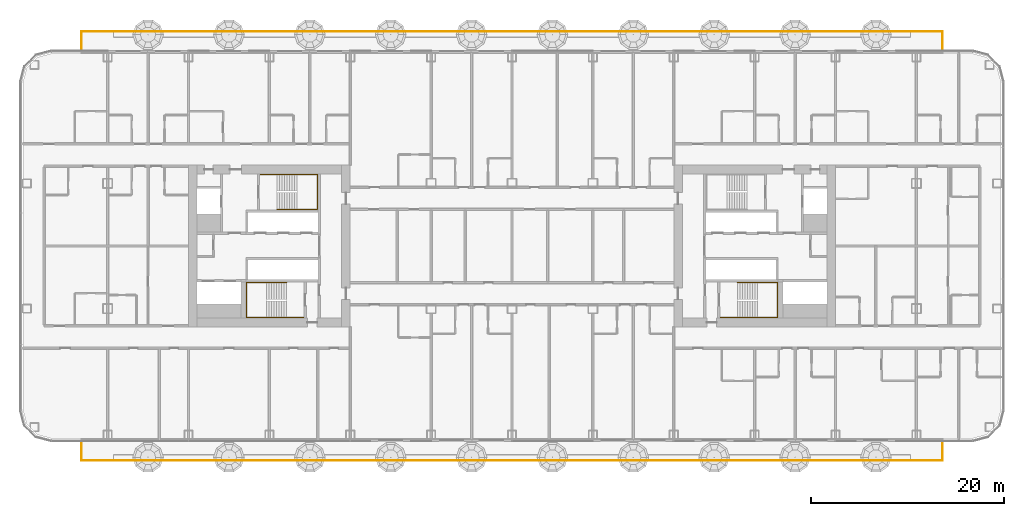
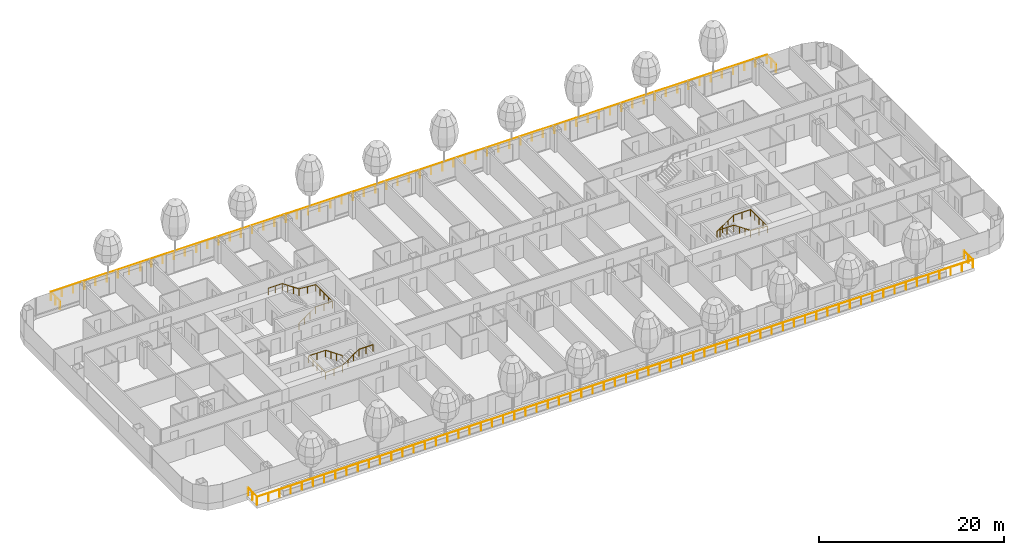
# One storey, part 29 of 36: 5 railings.
"""IFC4 building model written with IfcOpenShell, lengths in metres."""

from ifc_helpers import new_model, si_unit, direction, frame, origin, origin_2d, place, context, subcontext, project, spatial, circle, extrude, material, type_object, element, save


model = new_model("IFC4")

# Units and contexts
model_context = context("Model", 3, precision=1e-05, world=origin(), true_north=direction((0.0, 1.0)))
body_context = subcontext(model_context, "Body", "Model", "MODEL_VIEW")
ifc_project = project(units=[si_unit("LENGTHUNIT", "METRE"), si_unit("AREAUNIT", "SQUARE_METRE"), si_unit("VOLUMEUNIT", "CUBIC_METRE"), si_unit("PLANEANGLEUNIT", "RADIAN"), si_unit("MASSUNIT", "GRAM", prefix="KILO")], contexts=[model_context])

# Site, building, storey
site_placement = place(None, origin())
site = spatial("IfcSite", under=ifc_project, at=site_placement, CompositionType="ELEMENT")
building_placement = place(site_placement, origin())
building = spatial("IfcBuilding", under=site, at=building_placement, Name="Hakoniwa Tower and Hamabe Station Hall", CompositionType="ELEMENT")
storey_placement = place(building_placement, frame((0.0, 0.0, 26.199951171875)))
storey = spatial("IfcBuildingStorey", under=building, at=storey_placement, Name="L06", CompositionType="ELEMENT", Elevation=26.199951171875)

# Railings
ifc_material_1 = material(Name="Stainless steel and laminated glass", Category="steel")
railing_type_1 = type_object("IfcRailingType", Name="BALCONY BALUSTRADE 1100", PredefinedType="BALUSTRADE", material=ifc_material_1)
railing_1_placement = place(storey_placement, frame((-44.699951171875, 20.300048828125, 0.0)))
element("IfcRailing", 1, at=railing_1_placement, inside=storey, type_object=railing_type_1, Name="Balcony balustrade", PredefinedType="BALUSTRADE", context=body_context, shape_type="SweptSolid", body=[
    extrude(circle(Radius=0.02392578125, at=origin_2d()), frame((0.0, 0.0, 1.076171875), z_axis=(0.0, 1.0, 0.0), x_axis=(-1.0, 0.0, 0.0)), (0.0, 0.0, 1.0), 2.0),
    extrude(circle(Radius=0.02392578125, at=origin_2d()), frame((0.0, 2.0, 1.076171875), z_axis=(1.0, 0.0, 0.0), x_axis=(0.0, 1.0, 0.0)), (0.0, 0.0, 1.0), 89.39990234375),
    extrude(circle(Radius=0.02392578125, at=origin_2d()), frame((89.39990234375, 2.0, 1.076171875), z_axis=(0.0, -1.0, 0.0), x_axis=(1.0, 0.0, 0.0)), (0.0, 0.0, 1.0), 2.0),
    extrude(circle(Radius=0.02099609375, at=origin_2d()), origin(), (0.0, 0.0, 1.0), 1.052001953125),
    extrude(circle(Radius=0.02099609375, at=origin_2d()), frame((0.0, 1.0, 0.0)), (0.0, 0.0, 1.0), 1.052001953125),
    extrude(circle(Radius=0.02099609375, at=origin_2d()), frame((0.0, 2.0, 0.0)), (0.0, 0.0, 1.0), 1.052001953125),
    extrude(circle(Radius=0.02099609375, at=origin_2d()), frame((1.39697265625, 2.0, 0.0)), (0.0, 0.0, 1.0), 1.052001953125),
    extrude(circle(Radius=0.02099609375, at=origin_2d()), frame((2.793701171875, 2.0, 0.0)), (0.0, 0.0, 1.0), 1.052001953125),
    extrude(circle(Radius=0.02099609375, at=origin_2d()), frame((4.190673828125, 2.0, 0.0)), (0.0, 0.0, 1.0), 1.052001953125),
    extrude(circle(Radius=0.02099609375, at=origin_2d()), frame((5.58740234375, 2.0, 0.0)), (0.0, 0.0, 1.0), 1.052001953125),
    extrude(circle(Radius=0.02099609375, at=origin_2d()), frame((6.984375, 2.0, 0.0)), (0.0, 0.0, 1.0), 1.052001953125),
    extrude(circle(Radius=0.02099609375, at=origin_2d()), frame((8.38134765625, 2.0, 0.0)), (0.0, 0.0, 1.0), 1.052001953125),
    extrude(circle(Radius=0.02099609375, at=origin_2d()), frame((9.778076171875, 2.0, 0.0)), (0.0, 0.0, 1.0), 1.052001953125),
    extrude(circle(Radius=0.02099609375, at=origin_2d()), frame((11.175048828125, 2.0, 0.0)), (0.0, 0.0, 1.0), 1.052001953125),
    extrude(circle(Radius=0.02099609375, at=origin_2d()), frame((12.57177734375, 2.0, 0.0)), (0.0, 0.0, 1.0), 1.052001953125),
    extrude(circle(Radius=0.02099609375, at=origin_2d()), frame((13.96875, 2.0, 0.0)), (0.0, 0.0, 1.0), 1.052001953125),
    extrude(circle(Radius=0.02099609375, at=origin_2d()), frame((15.36572265625, 2.0, 0.0)), (0.0, 0.0, 1.0), 1.052001953125),
    extrude(circle(Radius=0.02099609375, at=origin_2d()), frame((16.762451171875, 2.0, 0.0)), (0.0, 0.0, 1.0), 1.052001953125),
    extrude(circle(Radius=0.02099609375, at=origin_2d()), frame((18.159423828125, 2.0, 0.0)), (0.0, 0.0, 1.0), 1.052001953125),
    extrude(circle(Radius=0.02099609375, at=origin_2d()), frame((19.55615234375, 2.0, 0.0)), (0.0, 0.0, 1.0), 1.052001953125),
    extrude(circle(Radius=0.02099609375, at=origin_2d()), frame((20.953125, 2.0, 0.0)), (0.0, 0.0, 1.0), 1.052001953125),
    extrude(circle(Radius=0.02099609375, at=origin_2d()), frame((22.35009765625, 2.0, 0.0)), (0.0, 0.0, 1.0), 1.052001953125),
    extrude(circle(Radius=0.02099609375, at=origin_2d()), frame((23.746826171875, 2.0, 0.0)), (0.0, 0.0, 1.0), 1.052001953125),
    extrude(circle(Radius=0.02099609375, at=origin_2d()), frame((25.143798828125, 2.0, 0.0)), (0.0, 0.0, 1.0), 1.052001953125),
    extrude(circle(Radius=0.02099609375, at=origin_2d()), frame((26.54052734375, 2.0, 0.0)), (0.0, 0.0, 1.0), 1.052001953125),
    extrude(circle(Radius=0.02099609375, at=origin_2d()), frame((27.9375, 2.0, 0.0)), (0.0, 0.0, 1.0), 1.052001953125),
    extrude(circle(Radius=0.02099609375, at=origin_2d()), frame((29.334228515625, 2.0, 0.0)), (0.0, 0.0, 1.0), 1.052001953125),
    extrude(circle(Radius=0.02099609375, at=origin_2d()), frame((30.731201171875, 2.0, 0.0)), (0.0, 0.0, 1.0), 1.052001953125),
    extrude(circle(Radius=0.02099609375, at=origin_2d()), frame((32.128173828125, 2.0, 0.0)), (0.0, 0.0, 1.0), 1.052001953125),
    extrude(circle(Radius=0.02099609375, at=origin_2d()), frame((33.52490234375, 2.0, 0.0)), (0.0, 0.0, 1.0), 1.052001953125),
    extrude(circle(Radius=0.02099609375, at=origin_2d()), frame((34.921875, 2.0, 0.0)), (0.0, 0.0, 1.0), 1.052001953125),
    extrude(circle(Radius=0.02099609375, at=origin_2d()), frame((36.318603515625, 2.0, 0.0)), (0.0, 0.0, 1.0), 1.052001953125),
    extrude(circle(Radius=0.02099609375, at=origin_2d()), frame((37.715576171875, 2.0, 0.0)), (0.0, 0.0, 1.0), 1.052001953125),
    extrude(circle(Radius=0.02099609375, at=origin_2d()), frame((39.112548828125, 2.0, 0.0)), (0.0, 0.0, 1.0), 1.052001953125),
    extrude(circle(Radius=0.02099609375, at=origin_2d()), frame((40.50927734375, 2.0, 0.0)), (0.0, 0.0, 1.0), 1.052001953125),
    extrude(circle(Radius=0.02099609375, at=origin_2d()), frame((41.90625, 2.0, 0.0)), (0.0, 0.0, 1.0), 1.052001953125),
    extrude(circle(Radius=0.02099609375, at=origin_2d()), frame((43.302978515625, 2.0, 0.0)), (0.0, 0.0, 1.0), 1.052001953125),
    extrude(circle(Radius=0.02099609375, at=origin_2d()), frame((44.699951171875, 2.0, 0.0)), (0.0, 0.0, 1.0), 1.052001953125),
    extrude(circle(Radius=0.02099609375, at=origin_2d()), frame((46.096923828125, 2.0, 0.0)), (0.0, 0.0, 1.0), 1.052001953125),
    extrude(circle(Radius=0.02099609375, at=origin_2d()), frame((47.49365234375, 2.0, 0.0)), (0.0, 0.0, 1.0), 1.052001953125),
    extrude(circle(Radius=0.02099609375, at=origin_2d()), frame((48.890625, 2.0, 0.0)), (0.0, 0.0, 1.0), 1.052001953125),
    extrude(circle(Radius=0.02099609375, at=origin_2d()), frame((50.287353515625, 2.0, 0.0)), (0.0, 0.0, 1.0), 1.052001953125),
    extrude(circle(Radius=0.02099609375, at=origin_2d()), frame((51.684326171875, 2.0, 0.0)), (0.0, 0.0, 1.0), 1.052001953125),
    extrude(circle(Radius=0.02099609375, at=origin_2d()), frame((53.081298828125, 2.0, 0.0)), (0.0, 0.0, 1.0), 1.052001953125),
    extrude(circle(Radius=0.02099609375, at=origin_2d()), frame((54.47802734375, 2.0, 0.0)), (0.0, 0.0, 1.0), 1.052001953125),
    extrude(circle(Radius=0.02099609375, at=origin_2d()), frame((55.875, 2.0, 0.0)), (0.0, 0.0, 1.0), 1.052001953125),
    extrude(circle(Radius=0.02099609375, at=origin_2d()), frame((57.271728515625, 2.0, 0.0)), (0.0, 0.0, 1.0), 1.052001953125),
    extrude(circle(Radius=0.02099609375, at=origin_2d()), frame((58.668701171875, 2.0, 0.0)), (0.0, 0.0, 1.0), 1.052001953125),
    extrude(circle(Radius=0.02099609375, at=origin_2d()), frame((60.065673828125, 2.0, 0.0)), (0.0, 0.0, 1.0), 1.052001953125),
    extrude(circle(Radius=0.02099609375, at=origin_2d()), frame((61.46240234375, 2.0, 0.0)), (0.0, 0.0, 1.0), 1.052001953125),
    extrude(circle(Radius=0.02099609375, at=origin_2d()), frame((62.859375, 2.0, 0.0)), (0.0, 0.0, 1.0), 1.052001953125),
    extrude(circle(Radius=0.02099609375, at=origin_2d()), frame((64.256103515625, 2.0, 0.0)), (0.0, 0.0, 1.0), 1.052001953125),
    extrude(circle(Radius=0.02099609375, at=origin_2d()), frame((65.653076171875, 2.0, 0.0)), (0.0, 0.0, 1.0), 1.052001953125),
    extrude(circle(Radius=0.02099609375, at=origin_2d()), frame((67.0498046875, 2.0, 0.0)), (0.0, 0.0, 1.0), 1.052001953125),
    extrude(circle(Radius=0.02099609375, at=origin_2d()), frame((68.44677734375, 2.0, 0.0)), (0.0, 0.0, 1.0), 1.052001953125),
    extrude(circle(Radius=0.02099609375, at=origin_2d()), frame((69.84375, 2.0, 0.0)), (0.0, 0.0, 1.0), 1.052001953125),
    extrude(circle(Radius=0.02099609375, at=origin_2d()), frame((71.240478515625, 2.0, 0.0)), (0.0, 0.0, 1.0), 1.052001953125),
    extrude(circle(Radius=0.02099609375, at=origin_2d()), frame((72.637451171875, 2.0, 0.0)), (0.0, 0.0, 1.0), 1.052001953125),
    extrude(circle(Radius=0.02099609375, at=origin_2d()), frame((74.0341796875, 2.0, 0.0)), (0.0, 0.0, 1.0), 1.052001953125),
    extrude(circle(Radius=0.02099609375, at=origin_2d()), frame((75.43115234375, 2.0, 0.0)), (0.0, 0.0, 1.0), 1.052001953125),
    extrude(circle(Radius=0.02099609375, at=origin_2d()), frame((76.828125, 2.0, 0.0)), (0.0, 0.0, 1.0), 1.052001953125),
    extrude(circle(Radius=0.02099609375, at=origin_2d()), frame((78.224853515625, 2.0, 0.0)), (0.0, 0.0, 1.0), 1.052001953125),
    extrude(circle(Radius=0.02099609375, at=origin_2d()), frame((79.621826171875, 2.0, 0.0)), (0.0, 0.0, 1.0), 1.052001953125),
    extrude(circle(Radius=0.02099609375, at=origin_2d()), frame((81.0185546875, 2.0, 0.0)), (0.0, 0.0, 1.0), 1.052001953125),
    extrude(circle(Radius=0.02099609375, at=origin_2d()), frame((82.41552734375, 2.0, 0.0)), (0.0, 0.0, 1.0), 1.052001953125),
    extrude(circle(Radius=0.02099609375, at=origin_2d()), frame((83.8125, 2.0, 0.0)), (0.0, 0.0, 1.0), 1.052001953125),
    extrude(circle(Radius=0.02099609375, at=origin_2d()), frame((85.209228515625, 2.0, 0.0)), (0.0, 0.0, 1.0), 1.052001953125),
    extrude(circle(Radius=0.02099609375, at=origin_2d()), frame((86.606201171875, 2.0, 0.0)), (0.0, 0.0, 1.0), 1.052001953125),
    extrude(circle(Radius=0.02099609375, at=origin_2d()), frame((88.0029296875, 2.0, 0.0)), (0.0, 0.0, 1.0), 1.052001953125),
    extrude(circle(Radius=0.02099609375, at=origin_2d()), frame((89.39990234375, 2.0, 0.0)), (0.0, 0.0, 1.0), 1.052001953125),
    extrude(circle(Radius=0.02099609375, at=origin_2d()), frame((89.39990234375, 1.0, 0.0)), (0.0, 0.0, 1.0), 1.052001953125),
    extrude(circle(Radius=0.02099609375, at=origin_2d()), frame((89.39990234375, 0.0, 0.0)), (0.0, 0.0, 1.0), 1.052001953125),
])
railing_2_placement = place(storey_placement, frame((-44.699951171875, -20.300048828125, 0.0)))
element("IfcRailing", 2, at=railing_2_placement, inside=storey, type_object=railing_type_1, Name="Balcony balustrade", PredefinedType="BALUSTRADE", context=body_context, shape_type="SweptSolid", body=[
    extrude(circle(Radius=0.02392578125, at=origin_2d()), frame((0.0, 0.0, 1.076171875), z_axis=(0.0, -1.0, 0.0), x_axis=(1.0, 0.0, 0.0)), (0.0, 0.0, 1.0), 2.0),
    extrude(circle(Radius=0.02392578125, at=origin_2d()), frame((0.0, -2.0, 1.076171875), z_axis=(1.0, 0.0, 0.0), x_axis=(0.0, 1.0, 0.0)), (0.0, 0.0, 1.0), 89.39990234375),
    extrude(circle(Radius=0.02392578125, at=origin_2d()), frame((89.39990234375, -2.0, 1.076171875), z_axis=(0.0, 1.0, 0.0), x_axis=(-1.0, 0.0, 0.0)), (0.0, 0.0, 1.0), 2.0),
    extrude(circle(Radius=0.02099609375, at=origin_2d()), origin(), (0.0, 0.0, 1.0), 1.052001953125),
    extrude(circle(Radius=0.02099609375, at=origin_2d()), frame((0.0, -1.0, 0.0)), (0.0, 0.0, 1.0), 1.052001953125),
    extrude(circle(Radius=0.02099609375, at=origin_2d()), frame((0.0, -2.0, 0.0)), (0.0, 0.0, 1.0), 1.052001953125),
    extrude(circle(Radius=0.02099609375, at=origin_2d()), frame((1.39697265625, -2.0, 0.0)), (0.0, 0.0, 1.0), 1.052001953125),
    extrude(circle(Radius=0.02099609375, at=origin_2d()), frame((2.793701171875, -2.0, 0.0)), (0.0, 0.0, 1.0), 1.052001953125),
    extrude(circle(Radius=0.02099609375, at=origin_2d()), frame((4.190673828125, -2.0, 0.0)), (0.0, 0.0, 1.0), 1.052001953125),
    extrude(circle(Radius=0.02099609375, at=origin_2d()), frame((5.58740234375, -2.0, 0.0)), (0.0, 0.0, 1.0), 1.052001953125),
    extrude(circle(Radius=0.02099609375, at=origin_2d()), frame((6.984375, -2.0, 0.0)), (0.0, 0.0, 1.0), 1.052001953125),
    extrude(circle(Radius=0.02099609375, at=origin_2d()), frame((8.38134765625, -2.0, 0.0)), (0.0, 0.0, 1.0), 1.052001953125),
    extrude(circle(Radius=0.02099609375, at=origin_2d()), frame((9.778076171875, -2.0, 0.0)), (0.0, 0.0, 1.0), 1.052001953125),
    extrude(circle(Radius=0.02099609375, at=origin_2d()), frame((11.175048828125, -2.0, 0.0)), (0.0, 0.0, 1.0), 1.052001953125),
    extrude(circle(Radius=0.02099609375, at=origin_2d()), frame((12.57177734375, -2.0, 0.0)), (0.0, 0.0, 1.0), 1.052001953125),
    extrude(circle(Radius=0.02099609375, at=origin_2d()), frame((13.96875, -2.0, 0.0)), (0.0, 0.0, 1.0), 1.052001953125),
    extrude(circle(Radius=0.02099609375, at=origin_2d()), frame((15.36572265625, -2.0, 0.0)), (0.0, 0.0, 1.0), 1.052001953125),
    extrude(circle(Radius=0.02099609375, at=origin_2d()), frame((16.762451171875, -2.0, 0.0)), (0.0, 0.0, 1.0), 1.052001953125),
    extrude(circle(Radius=0.02099609375, at=origin_2d()), frame((18.159423828125, -2.0, 0.0)), (0.0, 0.0, 1.0), 1.052001953125),
    extrude(circle(Radius=0.02099609375, at=origin_2d()), frame((19.55615234375, -2.0, 0.0)), (0.0, 0.0, 1.0), 1.052001953125),
    extrude(circle(Radius=0.02099609375, at=origin_2d()), frame((20.953125, -2.0, 0.0)), (0.0, 0.0, 1.0), 1.052001953125),
    extrude(circle(Radius=0.02099609375, at=origin_2d()), frame((22.35009765625, -2.0, 0.0)), (0.0, 0.0, 1.0), 1.052001953125),
    extrude(circle(Radius=0.02099609375, at=origin_2d()), frame((23.746826171875, -2.0, 0.0)), (0.0, 0.0, 1.0), 1.052001953125),
    extrude(circle(Radius=0.02099609375, at=origin_2d()), frame((25.143798828125, -2.0, 0.0)), (0.0, 0.0, 1.0), 1.052001953125),
    extrude(circle(Radius=0.02099609375, at=origin_2d()), frame((26.54052734375, -2.0, 0.0)), (0.0, 0.0, 1.0), 1.052001953125),
    extrude(circle(Radius=0.02099609375, at=origin_2d()), frame((27.9375, -2.0, 0.0)), (0.0, 0.0, 1.0), 1.052001953125),
    extrude(circle(Radius=0.02099609375, at=origin_2d()), frame((29.334228515625, -2.0, 0.0)), (0.0, 0.0, 1.0), 1.052001953125),
    extrude(circle(Radius=0.02099609375, at=origin_2d()), frame((30.731201171875, -2.0, 0.0)), (0.0, 0.0, 1.0), 1.052001953125),
    extrude(circle(Radius=0.02099609375, at=origin_2d()), frame((32.128173828125, -2.0, 0.0)), (0.0, 0.0, 1.0), 1.052001953125),
    extrude(circle(Radius=0.02099609375, at=origin_2d()), frame((33.52490234375, -2.0, 0.0)), (0.0, 0.0, 1.0), 1.052001953125),
    extrude(circle(Radius=0.02099609375, at=origin_2d()), frame((34.921875, -2.0, 0.0)), (0.0, 0.0, 1.0), 1.052001953125),
    extrude(circle(Radius=0.02099609375, at=origin_2d()), frame((36.318603515625, -2.0, 0.0)), (0.0, 0.0, 1.0), 1.052001953125),
    extrude(circle(Radius=0.02099609375, at=origin_2d()), frame((37.715576171875, -2.0, 0.0)), (0.0, 0.0, 1.0), 1.052001953125),
    extrude(circle(Radius=0.02099609375, at=origin_2d()), frame((39.112548828125, -2.0, 0.0)), (0.0, 0.0, 1.0), 1.052001953125),
    extrude(circle(Radius=0.02099609375, at=origin_2d()), frame((40.50927734375, -2.0, 0.0)), (0.0, 0.0, 1.0), 1.052001953125),
    extrude(circle(Radius=0.02099609375, at=origin_2d()), frame((41.90625, -2.0, 0.0)), (0.0, 0.0, 1.0), 1.052001953125),
    extrude(circle(Radius=0.02099609375, at=origin_2d()), frame((43.302978515625, -2.0, 0.0)), (0.0, 0.0, 1.0), 1.052001953125),
    extrude(circle(Radius=0.02099609375, at=origin_2d()), frame((44.699951171875, -2.0, 0.0)), (0.0, 0.0, 1.0), 1.052001953125),
    extrude(circle(Radius=0.02099609375, at=origin_2d()), frame((46.096923828125, -2.0, 0.0)), (0.0, 0.0, 1.0), 1.052001953125),
    extrude(circle(Radius=0.02099609375, at=origin_2d()), frame((47.49365234375, -2.0, 0.0)), (0.0, 0.0, 1.0), 1.052001953125),
    extrude(circle(Radius=0.02099609375, at=origin_2d()), frame((48.890625, -2.0, 0.0)), (0.0, 0.0, 1.0), 1.052001953125),
    extrude(circle(Radius=0.02099609375, at=origin_2d()), frame((50.287353515625, -2.0, 0.0)), (0.0, 0.0, 1.0), 1.052001953125),
    extrude(circle(Radius=0.02099609375, at=origin_2d()), frame((51.684326171875, -2.0, 0.0)), (0.0, 0.0, 1.0), 1.052001953125),
    extrude(circle(Radius=0.02099609375, at=origin_2d()), frame((53.081298828125, -2.0, 0.0)), (0.0, 0.0, 1.0), 1.052001953125),
    extrude(circle(Radius=0.02099609375, at=origin_2d()), frame((54.47802734375, -2.0, 0.0)), (0.0, 0.0, 1.0), 1.052001953125),
    extrude(circle(Radius=0.02099609375, at=origin_2d()), frame((55.875, -2.0, 0.0)), (0.0, 0.0, 1.0), 1.052001953125),
    extrude(circle(Radius=0.02099609375, at=origin_2d()), frame((57.271728515625, -2.0, 0.0)), (0.0, 0.0, 1.0), 1.052001953125),
    extrude(circle(Radius=0.02099609375, at=origin_2d()), frame((58.668701171875, -2.0, 0.0)), (0.0, 0.0, 1.0), 1.052001953125),
    extrude(circle(Radius=0.02099609375, at=origin_2d()), frame((60.065673828125, -2.0, 0.0)), (0.0, 0.0, 1.0), 1.052001953125),
    extrude(circle(Radius=0.02099609375, at=origin_2d()), frame((61.46240234375, -2.0, 0.0)), (0.0, 0.0, 1.0), 1.052001953125),
    extrude(circle(Radius=0.02099609375, at=origin_2d()), frame((62.859375, -2.0, 0.0)), (0.0, 0.0, 1.0), 1.052001953125),
    extrude(circle(Radius=0.02099609375, at=origin_2d()), frame((64.256103515625, -2.0, 0.0)), (0.0, 0.0, 1.0), 1.052001953125),
    extrude(circle(Radius=0.02099609375, at=origin_2d()), frame((65.653076171875, -2.0, 0.0)), (0.0, 0.0, 1.0), 1.052001953125),
    extrude(circle(Radius=0.02099609375, at=origin_2d()), frame((67.0498046875, -2.0, 0.0)), (0.0, 0.0, 1.0), 1.052001953125),
    extrude(circle(Radius=0.02099609375, at=origin_2d()), frame((68.44677734375, -2.0, 0.0)), (0.0, 0.0, 1.0), 1.052001953125),
    extrude(circle(Radius=0.02099609375, at=origin_2d()), frame((69.84375, -2.0, 0.0)), (0.0, 0.0, 1.0), 1.052001953125),
    extrude(circle(Radius=0.02099609375, at=origin_2d()), frame((71.240478515625, -2.0, 0.0)), (0.0, 0.0, 1.0), 1.052001953125),
    extrude(circle(Radius=0.02099609375, at=origin_2d()), frame((72.637451171875, -2.0, 0.0)), (0.0, 0.0, 1.0), 1.052001953125),
    extrude(circle(Radius=0.02099609375, at=origin_2d()), frame((74.0341796875, -2.0, 0.0)), (0.0, 0.0, 1.0), 1.052001953125),
    extrude(circle(Radius=0.02099609375, at=origin_2d()), frame((75.43115234375, -2.0, 0.0)), (0.0, 0.0, 1.0), 1.052001953125),
    extrude(circle(Radius=0.02099609375, at=origin_2d()), frame((76.828125, -2.0, 0.0)), (0.0, 0.0, 1.0), 1.052001953125),
    extrude(circle(Radius=0.02099609375, at=origin_2d()), frame((78.224853515625, -2.0, 0.0)), (0.0, 0.0, 1.0), 1.052001953125),
    extrude(circle(Radius=0.02099609375, at=origin_2d()), frame((79.621826171875, -2.0, 0.0)), (0.0, 0.0, 1.0), 1.052001953125),
    extrude(circle(Radius=0.02099609375, at=origin_2d()), frame((81.0185546875, -2.0, 0.0)), (0.0, 0.0, 1.0), 1.052001953125),
    extrude(circle(Radius=0.02099609375, at=origin_2d()), frame((82.41552734375, -2.0, 0.0)), (0.0, 0.0, 1.0), 1.052001953125),
    extrude(circle(Radius=0.02099609375, at=origin_2d()), frame((83.8125, -2.0, 0.0)), (0.0, 0.0, 1.0), 1.052001953125),
    extrude(circle(Radius=0.02099609375, at=origin_2d()), frame((85.209228515625, -2.0, 0.0)), (0.0, 0.0, 1.0), 1.052001953125),
    extrude(circle(Radius=0.02099609375, at=origin_2d()), frame((86.606201171875, -2.0, 0.0)), (0.0, 0.0, 1.0), 1.052001953125),
    extrude(circle(Radius=0.02099609375, at=origin_2d()), frame((88.0029296875, -2.0, 0.0)), (0.0, 0.0, 1.0), 1.052001953125),
    extrude(circle(Radius=0.02099609375, at=origin_2d()), frame((89.39990234375, -2.0, 0.0)), (0.0, 0.0, 1.0), 1.052001953125),
    extrude(circle(Radius=0.02099609375, at=origin_2d()), frame((89.39990234375, -1.0, 0.0)), (0.0, 0.0, 1.0), 1.052001953125),
    extrude(circle(Radius=0.02099609375, at=origin_2d()), frame((89.39990234375, 0.0, 0.0)), (0.0, 0.0, 1.0), 1.052001953125),
])
ifc_material_2 = material(Name="Stainless steel SUS304", Category="steel")
railing_type_2 = type_object("IfcRailingType", Name="STAIR HANDRAIL 900", PredefinedType="HANDRAIL", material=ifc_material_2)
railing_3_placement = place(storey_placement, frame((-24.39990234375, 3.81005859375, 0.177734375)))
element("IfcRailing", 3, at=railing_3_placement, inside=storey, type_object=railing_type_2, Name="Handrail ST-1 L06 1", PredefinedType="HANDRAIL", context=body_context, shape_type="SweptSolid", body=[
    extrude(circle(Radius=0.02392578125, at=origin_2d()), frame((0.0, 0.0, 0.8759765625), z_axis=(0.825433201882, 0.0, 0.564499804456), x_axis=(0.0, 1.0, 0.0)), (0.0, 0.0, 1.0), 2.519775390625),
    extrude(circle(Radius=0.02392578125, at=origin_2d()), frame((2.079833984375, 0.0, 2.29833984375), z_axis=(1.0, 0.0, 0.0), x_axis=(0.0, 1.0, 0.0)), (0.0, 0.0, 1.0), 2.110107421875),
    extrude(circle(Radius=0.02392578125, at=origin_2d()), frame((4.18994140625, 0.0, 2.29833984375), z_axis=(0.0, 1.0, 0.0), x_axis=(-1.0, 0.0, 0.0)), (0.0, 0.0, 1.0), 3.6298828125),
    extrude(circle(Radius=0.02392578125, at=origin_2d()), frame((4.18994140625, 3.6298828125, 2.29833984375), z_axis=(-0.996471417081, 0.0, 0.083932800143), x_axis=(0.0, -1.0, 0.0)), (0.0, 0.0, 1.0), 2.11767578125),
    extrude(circle(Radius=0.02392578125, at=origin_2d()), frame((2.079833984375, 3.6298828125, 2.47607421875), z_axis=(-0.825478349766, 0.0, 0.564433781827), x_axis=(0.0, -1.0, 0.0)), (0.0, 0.0, 1.0), 2.51953125),
    extrude(circle(Radius=0.02392578125, at=origin_2d()), frame((0.0, 3.6298828125, 3.89794921875), z_axis=(-1.0, 0.0, 0.0), x_axis=(0.0, -1.0, 0.0)), (0.0, 0.0, 1.0), 1.739990234375),
    extrude(circle(Radius=0.02099609375, at=origin_2d()), origin(), (0.0, 0.0, 1.0), 0.851806640625),
    extrude(circle(Radius=0.02099609375, at=origin_2d()), frame((0.693359375, 0.0, 0.47412109375)), (0.0, 0.0, 1.0), 0.851806640625),
    extrude(circle(Radius=0.02099609375, at=origin_2d()), frame((1.386474609375, 0.0, 0.9482421875)), (0.0, 0.0, 1.0), 0.851806640625),
    extrude(circle(Radius=0.02099609375, at=origin_2d()), frame((2.079833984375, 0.0, 1.42236328125)), (0.0, 0.0, 1.0), 0.851806640625),
    extrude(circle(Radius=0.02099609375, at=origin_2d()), frame((3.134765625, 0.0, 1.42236328125)), (0.0, 0.0, 1.0), 0.851806640625),
    extrude(circle(Radius=0.02099609375, at=origin_2d()), frame((4.18994140625, 0.0, 1.42236328125)), (0.0, 0.0, 1.0), 0.851806640625),
    extrude(circle(Radius=0.02099609375, at=origin_2d()), frame((4.18994140625, 0.907470703125, 1.42236328125)), (0.0, 0.0, 1.0), 0.851806640625),
    extrude(circle(Radius=0.02099609375, at=origin_2d()), frame((4.18994140625, 1.81494140625, 1.42236328125)), (0.0, 0.0, 1.0), 0.851806640625),
    extrude(circle(Radius=0.02099609375, at=origin_2d()), frame((4.18994140625, 2.722412109375, 1.42236328125)), (0.0, 0.0, 1.0), 0.851806640625),
    extrude(circle(Radius=0.02099609375, at=origin_2d()), frame((4.18994140625, 3.6298828125, 1.42236328125)), (0.0, 0.0, 1.0), 0.851806640625),
    extrude(circle(Radius=0.02099609375, at=origin_2d()), frame((3.134765625, 3.6298828125, 1.51123046875)), (0.0, 0.0, 1.0), 0.851806640625),
    extrude(circle(Radius=0.02099609375, at=origin_2d()), frame((2.079833984375, 3.6298828125, 1.60009765625)), (0.0, 0.0, 1.0), 0.851806640625),
    extrude(circle(Radius=0.02099609375, at=origin_2d()), frame((1.386474609375, 3.6298828125, 2.07421875)), (0.0, 0.0, 1.0), 0.851806640625),
    extrude(circle(Radius=0.02099609375, at=origin_2d()), frame((0.693359375, 3.6298828125, 2.548095703125)), (0.0, 0.0, 1.0), 0.851806640625),
    extrude(circle(Radius=0.02099609375, at=origin_2d()), frame((0.0, 3.6298828125, 3.022216796875)), (0.0, 0.0, 1.0), 0.851806640625),
    extrude(circle(Radius=0.02099609375, at=origin_2d()), frame((-0.8701171875, 3.6298828125, 3.022216796875)), (0.0, 0.0, 1.0), 0.851806640625),
    extrude(circle(Radius=0.02099609375, at=origin_2d()), frame((-1.739990234375, 3.6298828125, 3.022216796875)), (0.0, 0.0, 1.0), 0.851806640625),
])
railing_4_placement = place(storey_placement, frame((-23.39990234375, -3.81005859375, 0.177734375)))
element("IfcRailing", 4, at=railing_4_placement, inside=storey, type_object=railing_type_2, Name="Handrail ST-2 L06 1", PredefinedType="HANDRAIL", context=body_context, shape_type="SweptSolid", body=[
    extrude(circle(Radius=0.02392578125, at=origin_2d()), frame((0.0, 0.0, 0.8759765625), z_axis=(-0.825464074169, 0.0, 0.564454659168), x_axis=(0.0, -1.0, 0.0)), (0.0, 0.0, 1.0), 2.519775390625),
    extrude(circle(Radius=0.02392578125, at=origin_2d()), frame((-2.080078125, 0.0, 2.29833984375), z_axis=(-1.0, 0.0, 0.0), x_axis=(0.0, -1.0, 0.0)), (0.0, 0.0, 1.0), 2.110107421875),
    extrude(circle(Radius=0.02392578125, at=origin_2d()), frame((-4.190185546875, 0.0, 2.29833984375), z_axis=(0.0, -1.0, 0.0), x_axis=(1.0, 0.0, 0.0)), (0.0, 0.0, 1.0), 3.6298828125),
    extrude(circle(Radius=0.02392578125, at=origin_2d()), frame((-4.190185546875, -3.6298828125, 2.29833984375), z_axis=(0.996471417081, 0.0, 0.083932800143), x_axis=(0.0, 1.0, 0.0)), (0.0, 0.0, 1.0), 2.11767578125),
    extrude(circle(Radius=0.02392578125, at=origin_2d()), frame((-2.080078125, -3.6298828125, 2.47607421875), z_axis=(0.82550921652, 0.0, 0.564388636881), x_axis=(0.0, 1.0, 0.0)), (0.0, 0.0, 1.0), 2.519775390625),
    extrude(circle(Radius=0.02392578125, at=origin_2d()), frame((0.0, -3.6298828125, 3.89794921875), z_axis=(1.0, 0.0, 0.0), x_axis=(0.0, 1.0, 0.0)), (0.0, 0.0, 1.0), 1.739990234375),
    extrude(circle(Radius=0.02099609375, at=origin_2d()), origin(), (0.0, 0.0, 1.0), 0.851806640625),
    extrude(circle(Radius=0.02099609375, at=origin_2d()), frame((-0.693359375, 0.0, 0.47412109375)), (0.0, 0.0, 1.0), 0.851806640625),
    extrude(circle(Radius=0.02099609375, at=origin_2d()), frame((-1.38671875, 0.0, 0.9482421875)), (0.0, 0.0, 1.0), 0.851806640625),
    extrude(circle(Radius=0.02099609375, at=origin_2d()), frame((-2.080078125, 0.0, 1.42236328125)), (0.0, 0.0, 1.0), 0.851806640625),
    extrude(circle(Radius=0.02099609375, at=origin_2d()), frame((-3.13525390625, 0.0, 1.42236328125)), (0.0, 0.0, 1.0), 0.851806640625),
    extrude(circle(Radius=0.02099609375, at=origin_2d()), frame((-4.190185546875, 0.0, 1.42236328125)), (0.0, 0.0, 1.0), 0.851806640625),
    extrude(circle(Radius=0.02099609375, at=origin_2d()), frame((-4.190185546875, -0.907470703125, 1.42236328125)), (0.0, 0.0, 1.0), 0.851806640625),
    extrude(circle(Radius=0.02099609375, at=origin_2d()), frame((-4.190185546875, -1.81494140625, 1.42236328125)), (0.0, 0.0, 1.0), 0.851806640625),
    extrude(circle(Radius=0.02099609375, at=origin_2d()), frame((-4.190185546875, -2.722412109375, 1.42236328125)), (0.0, 0.0, 1.0), 0.851806640625),
    extrude(circle(Radius=0.02099609375, at=origin_2d()), frame((-4.190185546875, -3.6298828125, 1.42236328125)), (0.0, 0.0, 1.0), 0.851806640625),
    extrude(circle(Radius=0.02099609375, at=origin_2d()), frame((-3.13525390625, -3.6298828125, 1.51123046875)), (0.0, 0.0, 1.0), 0.851806640625),
    extrude(circle(Radius=0.02099609375, at=origin_2d()), frame((-2.080078125, -3.6298828125, 1.60009765625)), (0.0, 0.0, 1.0), 0.851806640625),
    extrude(circle(Radius=0.02099609375, at=origin_2d()), frame((-1.38671875, -3.6298828125, 2.07421875)), (0.0, 0.0, 1.0), 0.851806640625),
    extrude(circle(Radius=0.02099609375, at=origin_2d()), frame((-0.693359375, -3.6298828125, 2.548095703125)), (0.0, 0.0, 1.0), 0.851806640625),
    extrude(circle(Radius=0.02099609375, at=origin_2d()), frame((0.0, -3.6298828125, 3.022216796875)), (0.0, 0.0, 1.0), 0.851806640625),
    extrude(circle(Radius=0.02099609375, at=origin_2d()), frame((0.8701171875, -3.6298828125, 3.022216796875)), (0.0, 0.0, 1.0), 0.851806640625),
    extrude(circle(Radius=0.02099609375, at=origin_2d()), frame((1.739990234375, -3.6298828125, 3.022216796875)), (0.0, 0.0, 1.0), 0.851806640625),
])
railing_5_placement = place(storey_placement, frame((23.39990234375, -3.81005859375, 0.177734375)))
element("IfcRailing", 5, at=railing_5_placement, inside=storey, type_object=railing_type_2, Name="Handrail ST-4 L06 1", PredefinedType="HANDRAIL", context=body_context, shape_type="SweptSolid", body=[
    extrude(circle(Radius=0.02392578125, at=origin_2d()), frame((0.0, 0.0, 0.8759765625), z_axis=(0.825464074169, 0.0, 0.564454659168), x_axis=(0.0, 1.0, 0.0)), (0.0, 0.0, 1.0), 2.519775390625),
    extrude(circle(Radius=0.02392578125, at=origin_2d()), frame((2.080078125, 0.0, 2.29833984375), z_axis=(1.0, 0.0, 0.0), x_axis=(0.0, 1.0, 0.0)), (0.0, 0.0, 1.0), 2.110107421875),
    extrude(circle(Radius=0.02392578125, at=origin_2d()), frame((4.190185546875, 0.0, 2.29833984375), z_axis=(0.0, -1.0, 0.0), x_axis=(1.0, 0.0, 0.0)), (0.0, 0.0, 1.0), 3.6298828125),
    extrude(circle(Radius=0.02392578125, at=origin_2d()), frame((4.190185546875, -3.6298828125, 2.29833984375), z_axis=(-0.996471417081, 0.0, 0.083932800143), x_axis=(0.0, -1.0, 0.0)), (0.0, 0.0, 1.0), 2.11767578125),
    extrude(circle(Radius=0.02392578125, at=origin_2d()), frame((2.080078125, -3.6298828125, 2.47607421875), z_axis=(-0.82550921652, 0.0, 0.564388636881), x_axis=(0.0, -1.0, 0.0)), (0.0, 0.0, 1.0), 2.519775390625),
    extrude(circle(Radius=0.02392578125, at=origin_2d()), frame((0.0, -3.6298828125, 3.89794921875), z_axis=(-1.0, 0.0, 0.0), x_axis=(0.0, -1.0, 0.0)), (0.0, 0.0, 1.0), 1.739990234375),
    extrude(circle(Radius=0.02099609375, at=origin_2d()), origin(), (0.0, 0.0, 1.0), 0.851806640625),
    extrude(circle(Radius=0.02099609375, at=origin_2d()), frame((0.693359375, 0.0, 0.47412109375)), (0.0, 0.0, 1.0), 0.851806640625),
    extrude(circle(Radius=0.02099609375, at=origin_2d()), frame((1.38671875, 0.0, 0.9482421875)), (0.0, 0.0, 1.0), 0.851806640625),
    extrude(circle(Radius=0.02099609375, at=origin_2d()), frame((2.080078125, 0.0, 1.42236328125)), (0.0, 0.0, 1.0), 0.851806640625),
    extrude(circle(Radius=0.02099609375, at=origin_2d()), frame((3.13525390625, 0.0, 1.42236328125)), (0.0, 0.0, 1.0), 0.851806640625),
    extrude(circle(Radius=0.02099609375, at=origin_2d()), frame((4.190185546875, 0.0, 1.42236328125)), (0.0, 0.0, 1.0), 0.851806640625),
    extrude(circle(Radius=0.02099609375, at=origin_2d()), frame((4.190185546875, -0.907470703125, 1.42236328125)), (0.0, 0.0, 1.0), 0.851806640625),
    extrude(circle(Radius=0.02099609375, at=origin_2d()), frame((4.190185546875, -1.81494140625, 1.42236328125)), (0.0, 0.0, 1.0), 0.851806640625),
    extrude(circle(Radius=0.02099609375, at=origin_2d()), frame((4.190185546875, -2.722412109375, 1.42236328125)), (0.0, 0.0, 1.0), 0.851806640625),
    extrude(circle(Radius=0.02099609375, at=origin_2d()), frame((4.190185546875, -3.6298828125, 1.42236328125)), (0.0, 0.0, 1.0), 0.851806640625),
    extrude(circle(Radius=0.02099609375, at=origin_2d()), frame((3.13525390625, -3.6298828125, 1.51123046875)), (0.0, 0.0, 1.0), 0.851806640625),
    extrude(circle(Radius=0.02099609375, at=origin_2d()), frame((2.080078125, -3.6298828125, 1.60009765625)), (0.0, 0.0, 1.0), 0.851806640625),
    extrude(circle(Radius=0.02099609375, at=origin_2d()), frame((1.38671875, -3.6298828125, 2.07421875)), (0.0, 0.0, 1.0), 0.851806640625),
    extrude(circle(Radius=0.02099609375, at=origin_2d()), frame((0.693359375, -3.6298828125, 2.548095703125)), (0.0, 0.0, 1.0), 0.851806640625),
    extrude(circle(Radius=0.02099609375, at=origin_2d()), frame((0.0, -3.6298828125, 3.022216796875)), (0.0, 0.0, 1.0), 0.851806640625),
    extrude(circle(Radius=0.02099609375, at=origin_2d()), frame((-0.8701171875, -3.6298828125, 3.022216796875)), (0.0, 0.0, 1.0), 0.851806640625),
    extrude(circle(Radius=0.02099609375, at=origin_2d()), frame((-1.739990234375, -3.6298828125, 3.022216796875)), (0.0, 0.0, 1.0), 0.851806640625),
])

save(model, "model.ifc")
